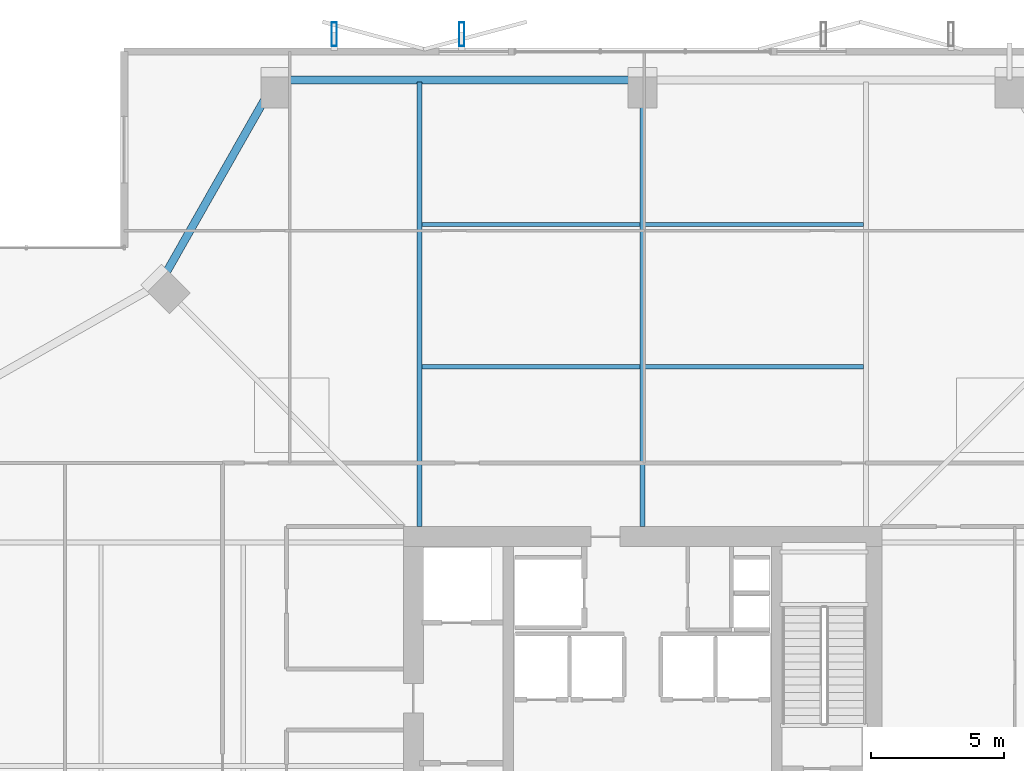
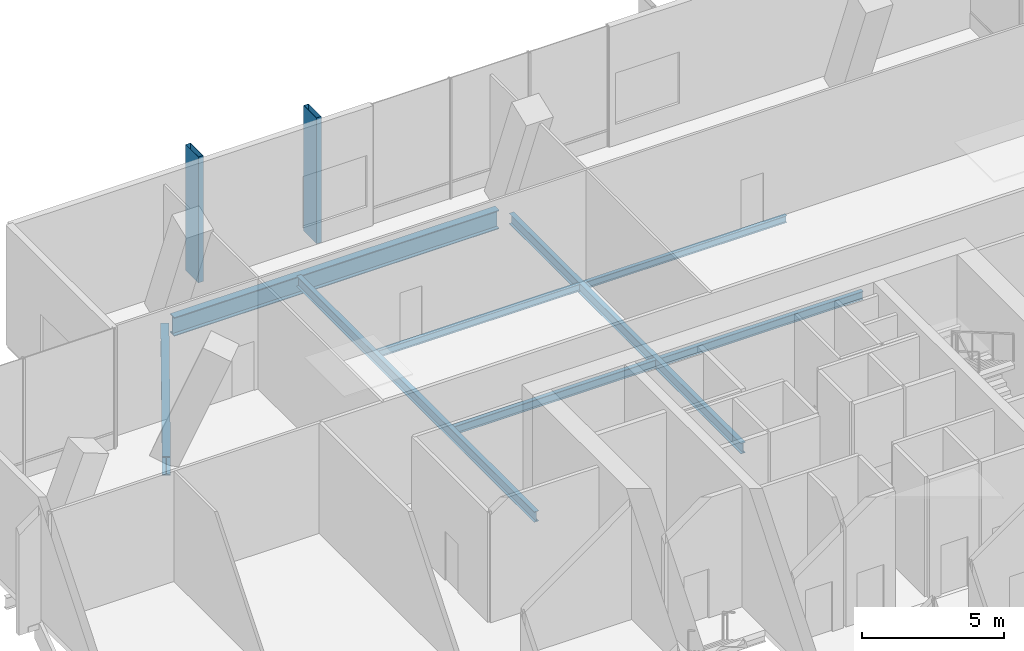
# One storey, part 21 of 33: 8 beams, 2 members.
"""IFC4 building model written with IfcOpenShell, lengths in metres."""

from ifc_helpers import new_model, si_unit, direction, frame, origin, origin_2d, place, context, subcontext, project, spatial, hollow_rectangle, i_section, extrude, material, material_profile, profile_set, type_object, element, save


model = new_model("IFC4")

# Units and contexts
model_context = context("Model", 3, precision=1e-05, world=origin(), true_north=direction((0.0, 1.0)))
body_context = subcontext(model_context, "Body", "Model", "MODEL_VIEW")
ifc_project = project(units=[si_unit("LENGTHUNIT", "METRE"), si_unit("AREAUNIT", "SQUARE_METRE"), si_unit("VOLUMEUNIT", "CUBIC_METRE"), si_unit("PLANEANGLEUNIT", "RADIAN"), si_unit("MASSUNIT", "GRAM", prefix="KILO")], contexts=[model_context])

# Site, building, storey
site_placement = place(None, origin())
site = spatial("IfcSite", under=ifc_project, at=site_placement, CompositionType="ELEMENT")
building_placement = place(site_placement, origin())
building = spatial("IfcBuilding", under=site, at=building_placement, Name="Belovzor Exchange Tower", CompositionType="ELEMENT")
storey_placement = place(building_placement, frame((0.0, 0.0, 241.199951171875)))
storey = spatial("IfcBuildingStorey", under=building, at=storey_placement, Name="L60", CompositionType="ELEMENT", Elevation=241.199951171875)

# Beams
ifc_material_1 = material(Name="Steel S355", Category="steel")
ifc_material_profile_1 = material_profile(ifc_material_1, i_section(OverallWidth=0.169921875, OverallDepth=0.360107421875, WebThickness=0.008056640625, FlangeThickness=0.0126953125, at=origin_2d()))
ifc_profile_set_1 = profile_set([ifc_material_profile_1], Name="Steel S355")
beam_type_1 = type_object("IfcBeamType", Name="Secondary Infill Floor Joist IPE 360", PredefinedType="BEAM", material=ifc_profile_set_1)
for number, where, z_axis, x_axis, name in (
    (1, (20.4951171875, 43.821044921875, -0.429931640625), (1.0, 0.0, 0.0), (0.0, 1.0, 0.0), "FJ-360 Secondary Infill Floor Joist IPE 360"),
    (2, (28.89501953125, 43.821044921875, -0.429931640625), (1.0, 0.0, 0.0), (0.0, 1.0, 0.0), "FJ-360 Secondary Infill Floor Joist IPE 360"),
):
    element("IfcBeam", number, at=place(storey_placement, frame(where, z_axis=z_axis, x_axis=x_axis)), inside=storey, type_object=beam_type_1, Name=name, PredefinedType="BEAM", context=body_context, shape_type="SweptSolid", body=[
        extrude(i_section(OverallWidth=0.169921875, OverallDepth=0.360107421875, WebThickness=0.008056640625, FlangeThickness=0.0126953125, at=origin_2d()), origin(), (0.0, 0.0, 1.0), 8.2099609375),
    ])
ifc_material_2 = material(Name="Steel S355", Category="steel")
ifc_material_profile_2 = material_profile(ifc_material_2, i_section(OverallWidth=0.14990234375, OverallDepth=0.300048828125, WebThickness=0.007080078125, FlangeThickness=0.0107421875, at=origin_2d()))
ifc_profile_set_2 = profile_set([ifc_material_profile_2], Name="Steel S355")
beam_type_2 = type_object("IfcBeamType", Name="Secondary Trim Floor Joist IPE 300", PredefinedType="BEAM", material=ifc_profile_set_2)
for number, where, z_axis, x_axis, name in (
    (3, (20.4951171875, 49.173095703125, -0.39990234375), (1.0, 0.0, 0.0), (0.0, 1.0, 0.0), "FJ-300 Secondary Trim Floor Joist IPE 300"),
    (4, (28.89501953125, 49.173095703125, -0.39990234375), (1.0, 0.0, 0.0), (0.0, 1.0, 0.0), "FJ-300 Secondary Trim Floor Joist IPE 300"),
):
    element("IfcBeam", number, at=place(storey_placement, frame(where, z_axis=z_axis, x_axis=x_axis)), inside=storey, type_object=beam_type_2, Name=name, PredefinedType="BEAM", context=body_context, shape_type="SweptSolid", body=[
        extrude(i_section(OverallWidth=0.14990234375, OverallDepth=0.300048828125, WebThickness=0.007080078125, FlangeThickness=0.0107421875, at=origin_2d()), origin(), (0.0, 0.0, 1.0), 8.2099609375),
    ])
ifc_material_3 = material(Name="Steel S355", Category="steel")
ifc_material_profile_3 = material_profile(ifc_material_3, i_section(OverallWidth=0.300048828125, OverallDepth=0.800048828125, WebThickness=0.017578125, FlangeThickness=0.032958984375, at=origin_2d()))
ifc_profile_set_3 = profile_set([ifc_material_profile_3], Name="Steel S355")
beam_type_3 = type_object("IfcBeamType", Name="Sky-Lobby Primary Girder HEB 800", PredefinedType="BEAM", material=ifc_profile_set_3)
beam_1_placement = place(storey_placement, frame((28.498046875, 54.60009765625, -0.64990234375), z_axis=(-1.0, 0.0, 0.0), x_axis=(0.0, -1.0, 0.0)))
element("IfcBeam", 5, at=beam_1_placement, inside=storey, type_object=beam_type_3, Name="SG-1 Sky-Lobby Primary Girder HEB 800", PredefinedType="BEAM", context=body_context, shape_type="SweptSolid", body=[
    extrude(i_section(OverallWidth=0.300048828125, OverallDepth=0.800048828125, WebThickness=0.017578125, FlangeThickness=0.032958984375, at=origin_2d()), origin(), (0.0, 0.0, 1.0), 13.195068359375),
])
beam_2_placement = place(storey_placement, frame((14.85009765625, 54.3369140625, -0.64990234375), z_axis=(-0.494222323641, -0.869335547884, 0.0), x_axis=(0.869335547884, -0.494222323641, 0.0)))
element("IfcBeam", 6, at=beam_2_placement, inside=storey, type_object=beam_type_3, Name="SG-1 Sky-Lobby Primary Girder HEB 800", PredefinedType="BEAM", context=body_context, shape_type="SweptSolid", body=[
    extrude(i_section(OverallWidth=0.300048828125, OverallDepth=0.800048828125, WebThickness=0.017578125, FlangeThickness=0.032958984375, at=origin_2d()), origin(), (0.0, 0.0, 1.0), 8.19482421875),
])

# Members
ifc_material_4 = material(Name="Extruded Architectural Terracotta on Steel S355 Carrier", Category="masonry")
ifc_material_profile_4 = material_profile(ifc_material_4, hollow_rectangle(XDim=0.199951171875, YDim=0.89990234375, WallThickness=0.011962890625, at=origin_2d()))
ifc_profile_set_4 = profile_set([ifc_material_profile_4], Name="Extruded Architectural Terracotta on Steel S355 Carrier")
member_type = type_object("IfcMemberType", Name="Sweeping Terracotta Baguette Fin Assembly 950", PredefinedType="USERDEFINED", material=ifc_profile_set_4)
for number, where, z_axis, x_axis, name in (
    (7, (17.199951171875, 56.324951171875, -0.25), (0.0, 0.0, 1.0), (1.0, 0.0, 0.0), "FIN-TC095 Terracotta Facade Fin L60 N1"),
    (8, (22.0, 56.324951171875, -0.25), (0.0, 0.0, 1.0), (1.0, 0.0, 0.0), "FIN-TC095 Terracotta Facade Fin L60 N2"),
):
    element("IfcMember", number, at=place(storey_placement, frame(where, z_axis=z_axis, x_axis=x_axis)), inside=storey, type_object=member_type, Name=name, ObjectType="FIN", PredefinedType="USERDEFINED", context=body_context, shape_type="SweptSolid", body=[
        extrude(hollow_rectangle(XDim=0.199951171875, YDim=0.89990234375, WallThickness=0.011962890625, at=origin_2d()), origin(), (0.0, 0.0, 1.0), 5.400146484375),
    ])

# Beams
ifc_material_5 = material(Name="Steel S355", Category="steel")
ifc_material_profile_5 = material_profile(ifc_material_5, i_section(OverallWidth=0.18994140625, OverallDepth=0.449951171875, WebThickness=0.009521484375, FlangeThickness=0.0146484375, at=origin_2d()))
ifc_profile_set_5 = profile_set([ifc_material_profile_5], Name="Steel S355")
beam_type_4 = type_object("IfcBeamType", Name="Zone 2-4 Radial Composite Floor Beam IPE 450", PredefinedType="BEAM", material=ifc_profile_set_5)
beam_3_placement = place(storey_placement, frame((20.39990234375, 37.800048828125, -0.474853515625), z_axis=(0.0, 1.0, 0.0), x_axis=(-1.0, 0.0, 0.0)))
element("IfcBeam", 9, at=beam_3_placement, inside=storey, type_object=beam_type_4, Name="FB-450 Zone 2-4 Radial Composite Floor Beam IPE 450", PredefinedType="BEAM", context=body_context, shape_type="SweptSolid", body=[
    extrude(i_section(OverallWidth=0.18994140625, OverallDepth=0.449951171875, WebThickness=0.009521484375, FlangeThickness=0.0146484375, at=origin_2d()), origin(), (0.0, 0.0, 1.0), 16.724853515625),
])
beam_4_placement = place(storey_placement, frame((28.800048828125, 37.800048828125, -0.474853515625), z_axis=(0.0, 1.0, 0.0), x_axis=(-1.0, 0.0, 0.0)))
element("IfcBeam", 10, at=beam_4_placement, inside=storey, type_object=beam_type_4, Name="FB-450 Zone 2-4 Radial Composite Floor Beam IPE 450", PredefinedType="BEAM", context=body_context, shape_type="SweptSolid", body=[
    extrude(i_section(OverallWidth=0.18994140625, OverallDepth=0.449951171875, WebThickness=0.009521484375, FlangeThickness=0.0146484375, at=origin_2d()), origin(), (0.0, 0.0, 1.0), 16.31591796875),
])

save(model, "model.ifc")
